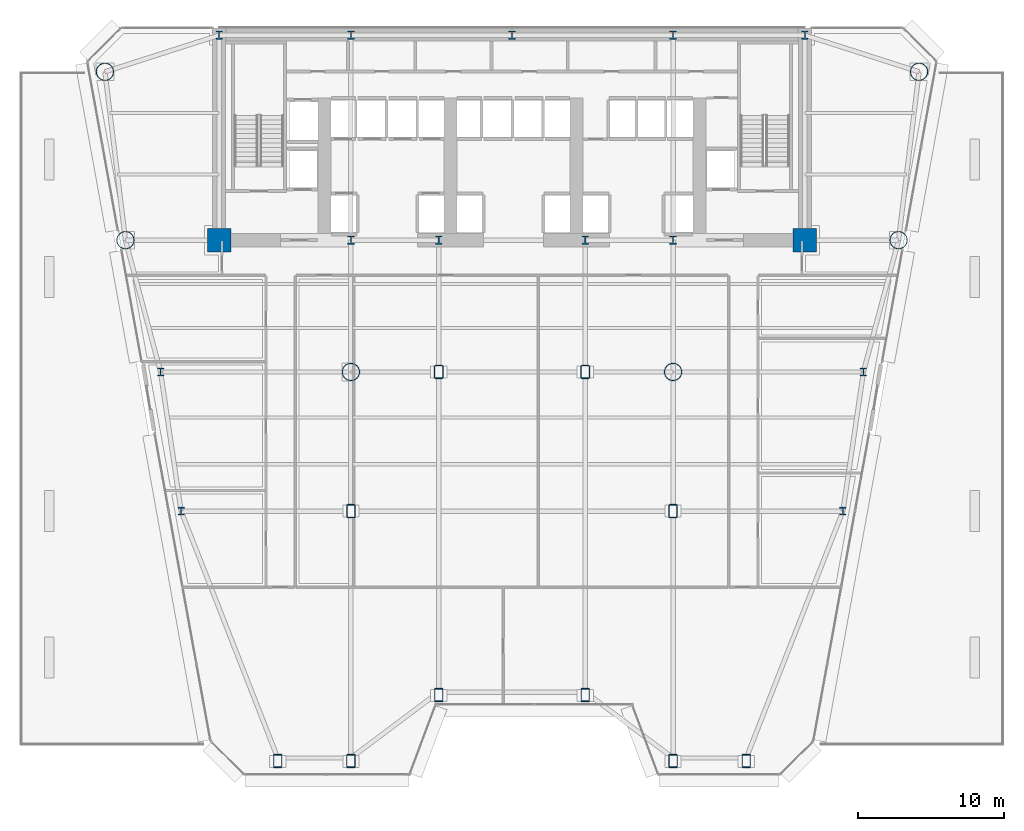
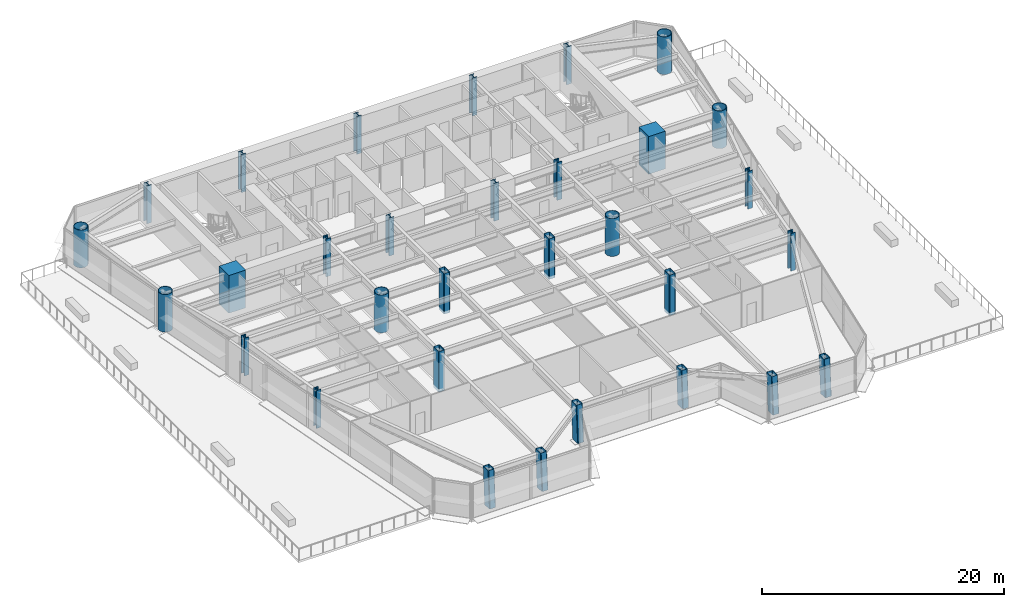
# One storey, part 1 of 14: 31 columns.
"""IFC4 building model written with IfcOpenShell, lengths in metres."""

from ifc_helpers import new_model, si_unit, direction, frame, origin, origin_2d, place, context, subcontext, project, spatial, rectangle, hollow_rectangle, hollow_circle, i_section, extrude, source, transform, mapped, material, material_profile, profile_set, type_object, element, save


model = new_model("IFC4")

# Units and contexts
model_context = context("Model", 3, precision=1e-05, world=origin(), true_north=direction((0.0, 1.0)))
body_context = subcontext(model_context, "Body", "Model", "MODEL_VIEW")
ifc_project = project(units=[si_unit("LENGTHUNIT", "METRE"), si_unit("AREAUNIT", "SQUARE_METRE"), si_unit("VOLUMEUNIT", "CUBIC_METRE"), si_unit("PLANEANGLEUNIT", "RADIAN"), si_unit("MASSUNIT", "GRAM", prefix="KILO")], contexts=[model_context])

# Site, building, storey
site_placement = place(None, origin())
site = spatial("IfcSite", under=ifc_project, at=site_placement, CompositionType="ELEMENT")
building_placement = place(site_placement, origin())
building = spatial("IfcBuilding", under=site, at=building_placement, Name="Vaeldorn Concourse Tower", CompositionType="ELEMENT")
storey_placement = place(building_placement, frame((0.0, 0.0, 18.800048828125)))
storey = spatial("IfcBuildingStorey", under=building, at=storey_placement, Name="L04", CompositionType="ELEMENT", Elevation=18.800048828125)

# Columns
ifc_material_1 = material(Name="Concrete C60/75", Category="concrete")
ifc_material_profile_1 = material_profile(ifc_material_1, rectangle(XDim=1.60009765625, YDim=1.60009765625, at=origin_2d()), Name="RC 1600x1600")
ifc_profile_set_1 = profile_set([ifc_material_profile_1], Name="Concrete C60/75")
column_type_1 = type_object("IfcColumnType", Name="COL-RC1600", PredefinedType="COLUMN", material=ifc_profile_set_1)
shared_shape_1 = source(origin(), body_context, "Body", "SweptSolid", [
    extrude(rectangle(XDim=1.60009765625, YDim=1.60009765625, at=origin_2d()), origin(), (0.0, 0.0, 1.0), 3.800048828125),
])
for number, where, z_axis, x_axis, name in (
    (1, (14.0, 36.5, 0.0), (0.0, 0.0, 1.0), (1.0, 0.0, 0.0), "Column C-FC1 L04"),
    (2, (54.0, 36.5, 0.0), (0.0, 0.0, 1.0), (1.0, 0.0, 0.0), "Column C-FC6 L04"),
):
    element("IfcColumn", number, at=place(storey_placement, frame(where, z_axis=z_axis, x_axis=x_axis)), inside=storey, type_object=column_type_1, Name=name, PredefinedType="COLUMN", context=body_context, shape_type="MappedRepresentation", body=[
        mapped(shared_shape_1, transform((0.0, 0.0, 0.0), scale=1.0)),
    ])
ifc_material_2 = material(Name="Steel S460", Category="steel")
ifc_material_profile_2 = material_profile(ifc_material_2, i_section(OverallWidth=0.4541015625, OverallDepth=0.569091796875, WebThickness=0.077880859375, FlangeThickness=0.080078125, FilletRadius=0.014892578125, at=origin_2d()), Name="HD 400x1086")
ifc_profile_set_2 = profile_set([ifc_material_profile_2], Name="Steel S460")
column_type_2 = type_object("IfcColumnType", Name="COL-HD1086", PredefinedType="COLUMN", material=ifc_profile_set_2)
shared_shape_2 = source(origin(), body_context, "Body", "SweptSolid", [
    extrude(i_section(OverallWidth=0.4541015625, OverallDepth=0.569091796875, WebThickness=0.077880859375, FlangeThickness=0.080078125, FilletRadius=0.014892578125, at=origin_2d()), origin(), (0.0, 0.0, 1.0), 3.800048828125),
])
for number, where, z_axis, x_axis, name in (
    (3, (23.0, 36.5, 0.0), (0.0, 0.0, 1.0), (1.0, 0.0, 0.0), "Column C-FC2 L04"),
    (4, (29.0, 36.5, 0.0), (0.0, 0.0, 1.0), (1.0, 0.0, 0.0), "Column C-FC3 L04"),
    (5, (39.0, 36.5, 0.0), (0.0, 0.0, 1.0), (1.0, 0.0, 0.0), "Column C-FC4 L04"),
    (6, (45.0, 36.5, 0.0), (0.0, 0.0, 1.0), (1.0, 0.0, 0.0), "Column C-FC5 L04"),
    (7, (14.0, 50.5, 0.0), (0.0, 0.0, 1.0), (1.0, 0.0, 0.0), "Column C-HC1 L04"),
    (8, (23.0, 50.5, 0.0), (0.0, 0.0, 1.0), (1.0, 0.0, 0.0), "Column C-HC2 L04"),
    (9, (34.0, 50.5, 0.0), (0.0, 0.0, 1.0), (1.0, 0.0, 0.0), "Column C-HC3 L04"),
    (10, (45.0, 50.5, 0.0), (0.0, 0.0, 1.0), (1.0, 0.0, 0.0), "Column C-HC4 L04"),
    (11, (54.0, 50.5, 0.0), (0.0, 0.0, 1.0), (1.0, 0.0, 0.0), "Column C-HC5 L04"),
):
    element("IfcColumn", number, at=place(storey_placement, frame(where, z_axis=z_axis, x_axis=x_axis)), inside=storey, type_object=column_type_2, Name=name, PredefinedType="COLUMN", context=body_context, shape_type="MappedRepresentation", body=[
        mapped(shared_shape_2, transform((0.0, 0.0, 0.0), scale=1.0)),
    ])
ifc_material_profile_3 = material_profile(ifc_material_2, hollow_circle(Radius=0.609619140625, WallThickness=0.050048828125, at=origin_2d()), Name="CHS 1219x50")
ifc_profile_set_3 = profile_set([ifc_material_profile_3], Name="Steel S460")
column_type_3 = type_object("IfcColumnType", Name="COL-CHS1219", PredefinedType="COLUMN", material=ifc_profile_set_3)
shared_shape_3 = source(origin(), body_context, "Body", "SweptSolid", [
    extrude(hollow_circle(Radius=0.609619140625, WallThickness=0.050048828125, at=origin_2d()), origin(), (0.0, 0.0, 1.0), 3.800048828125),
])
for number, where, z_axis, x_axis, name in (
    (12, (6.199951171875, 48.0, 0.0), (0.0, 0.0, 1.0), (1.0, 0.0, 0.0), "Column C-NW1 L04"),
    (13, (7.60009765625, 36.5, 0.0), (0.0, 0.0, 1.0), (1.0, 0.0, 0.0), "Column C-NW2 L04"),
    (14, (61.800048828125, 48.0, 0.0), (0.0, 0.0, 1.0), (1.0, 0.0, 0.0), "Column C-NE1 L04"),
    (15, (60.39990234375, 36.5, 0.0), (0.0, 0.0, 1.0), (1.0, 0.0, 0.0), "Column C-NE2 L04"),
    (16, (23.0, 27.5, 0.0), (0.0, 0.0, 1.0), (1.0, 0.0, 0.0), "Column C-TW1 L04"),
    (17, (45.0, 27.5, 0.0), (0.0, 0.0, 1.0), (1.0, 0.0, 0.0), "Column C-TW4 L04"),
):
    element("IfcColumn", number, at=place(storey_placement, frame(where, z_axis=z_axis, x_axis=x_axis)), inside=storey, type_object=column_type_3, Name=name, PredefinedType="COLUMN", context=body_context, shape_type="MappedRepresentation", body=[
        mapped(shared_shape_3, transform((0.0, 0.0, 0.0), scale=1.0)),
    ])
ifc_material_profile_4 = material_profile(ifc_material_2, i_section(OverallWidth=0.44189453125, OverallDepth=0.531005859375, WebThickness=0.06494140625, FlangeThickness=0.075927734375, FilletRadius=0.014892578125, at=origin_2d()), Name="HD 400x900")
ifc_profile_set_4 = profile_set([ifc_material_profile_4], Name="Steel S460")
column_type_4 = type_object("IfcColumnType", Name="COL-HD900F", PredefinedType="COLUMN", material=ifc_profile_set_4)
shared_shape_4 = source(origin(), body_context, "Body", "SweptSolid", [
    extrude(i_section(OverallWidth=0.44189453125, OverallDepth=0.531005859375, WebThickness=0.06494140625, FlangeThickness=0.075927734375, FilletRadius=0.014892578125, at=origin_2d()), origin(), (0.0, 0.0, 1.0), 3.800048828125),
])
for number, where, z_axis, x_axis, name in (
    (18, (10.0, 27.5, 0.0), (0.0, 0.0, 1.0), (1.0, 0.0, 0.0), "Column C-FLW1 L04"),
    (19, (11.39990234375, 18.0, 0.0), (0.0, 0.0, 1.0), (1.0, 0.0, 0.0), "Column C-FLW2 L04"),
    (20, (58.0, 27.5, 0.0), (0.0, 0.0, 1.0), (1.0, 0.0, 0.0), "Column C-FLE1 L04"),
    (21, (56.60009765625, 18.0, 0.0), (0.0, 0.0, 1.0), (1.0, 0.0, 0.0), "Column C-FLE2 L04"),
):
    element("IfcColumn", number, at=place(storey_placement, frame(where, z_axis=z_axis, x_axis=x_axis)), inside=storey, type_object=column_type_4, Name=name, PredefinedType="COLUMN", context=body_context, shape_type="MappedRepresentation", body=[
        mapped(shared_shape_4, transform((0.0, 0.0, 0.0), scale=1.0)),
    ])
ifc_material_profile_5 = material_profile(ifc_material_2, hollow_rectangle(XDim=0.60009765625, YDim=0.89990234375, WallThickness=0.0400390625, InnerFilletRadius=0.0400390625, OuterFilletRadius=0.080078125, at=origin_2d()), Name="RHS 900x600x40")
ifc_profile_set_5 = profile_set([ifc_material_profile_5], Name="Steel S460")
column_type_5 = type_object("IfcColumnType", Name="COL-RHS900", PredefinedType="COLUMN", material=ifc_profile_set_5)
shared_shape_5 = source(origin(), body_context, "Body", "SweptSolid", [
    extrude(hollow_rectangle(XDim=0.60009765625, YDim=0.89990234375, WallThickness=0.0400390625, InnerFilletRadius=0.0400390625, OuterFilletRadius=0.080078125, at=origin_2d()), origin(), (0.0, 0.0, 1.0), 4.080078125),
])
for number, where, z_axis, x_axis, name in (
    (22, (29.0, 27.5, -0.280029296875), (0.0, 0.0, 1.0), (1.0, 0.0, 0.0), "Column C-TW2 L04"),
    (23, (39.0, 27.5, -0.280029296875), (0.0, 0.0, 1.0), (1.0, 0.0, 0.0), "Column C-TW3 L04"),
    (24, (23.0, 18.0, -0.280029296875), (0.0, 0.0, 1.0), (1.0, 0.0, 0.0), "Column C-TW5 L04"),
    (25, (45.0, 18.0, -0.280029296875), (0.0, 0.0, 1.0), (1.0, 0.0, 0.0), "Column C-TW6 L04"),
):
    element("IfcColumn", number, at=place(storey_placement, frame(where, z_axis=z_axis, x_axis=x_axis)), inside=storey, type_object=column_type_5, Name=name, PredefinedType="COLUMN", context=body_context, shape_type="MappedRepresentation", body=[
        mapped(shared_shape_5, transform((0.0, 0.0, 0.0), scale=1.0)),
    ])
shared_shape_6 = source(origin(), body_context, "Body", "SweptSolid", [
    extrude(hollow_rectangle(XDim=0.60009765625, YDim=0.89990234375, WallThickness=0.0400390625, InnerFilletRadius=0.0400390625, OuterFilletRadius=0.080078125, at=origin_2d()), origin(), (0.0, 0.0, 1.0), 3.74365234375),
])
for number, where, z_axis, x_axis, name in (
    (26, (18.0, 0.89990234375, 0.031982421875), (0.0, 0.063908817043, 0.997955742057), (-1.0, 0.0, 0.0), "Column C-SF1 L04"),
    (27, (23.0, 0.89990234375, 0.031982421875), (0.0, 0.063908817043, 0.997955742057), (-1.0, 0.0, 0.0), "Column C-SF2 L04"),
    (28, (29.0, 5.39990234375, 0.031982421875), (0.0, 0.063908817043, 0.997955742057), (-1.0, 0.0, 0.0), "Column C-SF3 L04"),
    (29, (39.0, 5.39990234375, 0.031982421875), (0.0, 0.063908817043, 0.997955742057), (-1.0, 0.0, 0.0), "Column C-SF4 L04"),
    (30, (45.0, 0.89990234375, 0.031982421875), (0.0, 0.063908817043, 0.997955742057), (-1.0, 0.0, 0.0), "Column C-SF5 L04"),
    (31, (50.0, 0.89990234375, 0.031982421875), (0.0, 0.063908817043, 0.997955742057), (-1.0, 0.0, 0.0), "Column C-SF6 L04"),
):
    element("IfcColumn", number, at=place(storey_placement, frame(where, z_axis=z_axis, x_axis=x_axis)), inside=storey, type_object=column_type_5, Name=name, PredefinedType="COLUMN", context=body_context, shape_type="MappedRepresentation", body=[
        mapped(shared_shape_6, transform((0.0, 0.0, 0.0), scale=1.0)),
    ])

save(model, "model.ifc")
